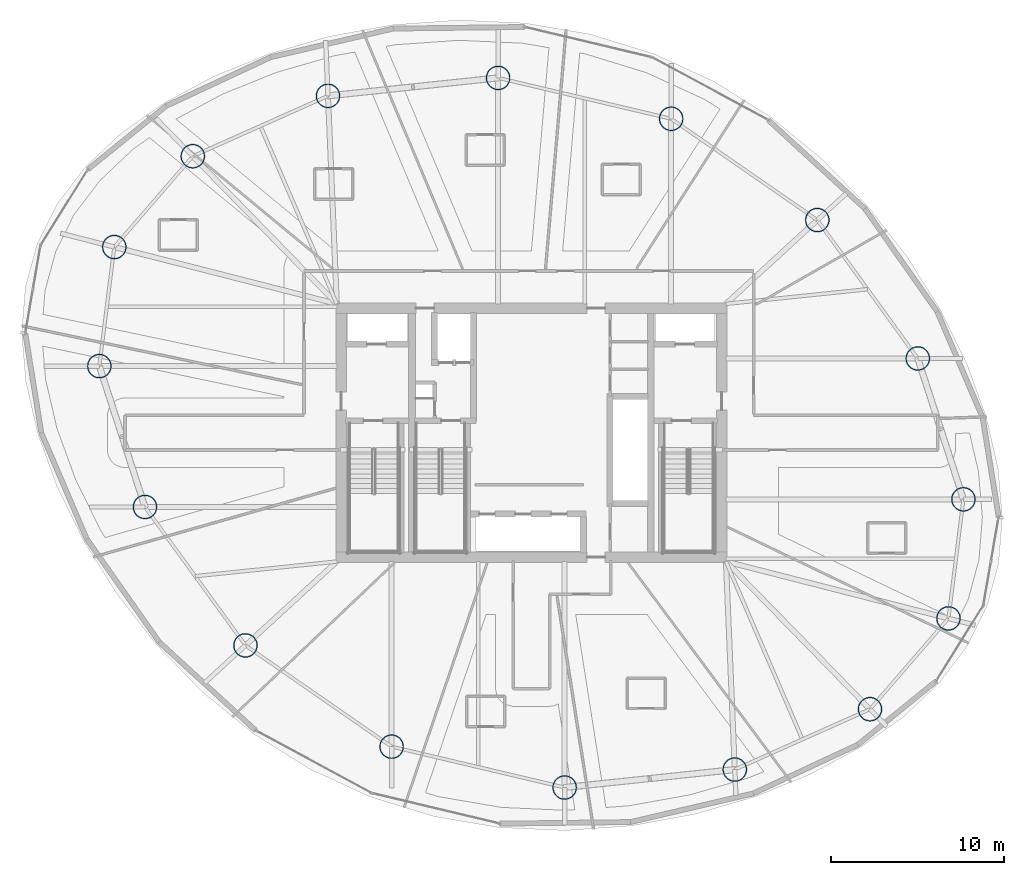
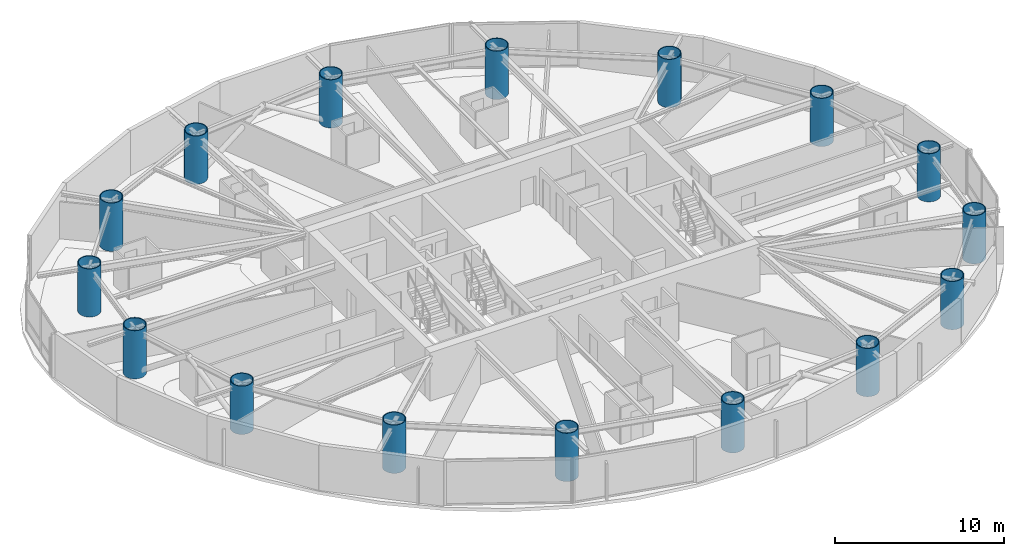
# One storey, part 1 of 22: 16 columns.
"""IFC4 building model written with IfcOpenShell, lengths in metres."""

from ifc_helpers import new_model, si_unit, direction, frame, origin, origin_2d, place, context, subcontext, project, spatial, hollow_circle, extrude, material, material_profile, profile_set, type_object, element, save


model = new_model("IFC4")

# Units and contexts
model_context = context("Model", 3, precision=1e-05, world=origin(), true_north=direction((0.0, 1.0)))
body_context = subcontext(model_context, "Body", "Model", "MODEL_VIEW")
ifc_project = project(units=[si_unit("LENGTHUNIT", "METRE"), si_unit("AREAUNIT", "SQUARE_METRE"), si_unit("VOLUMEUNIT", "CUBIC_METRE"), si_unit("PLANEANGLEUNIT", "RADIAN"), si_unit("MASSUNIT", "GRAM", prefix="KILO")], contexts=[model_context])

# Site, building, storey
site_placement = place(None, origin())
site = spatial("IfcSite", under=ifc_project, at=site_placement, CompositionType="ELEMENT")
building_placement = place(site_placement, origin())
building = spatial("IfcBuilding", under=site, at=building_placement, Name="Bramvorn Convention Spire", CompositionType="ELEMENT")
storey_placement = place(building_placement, frame((0.0, 0.0, 116.800048828125)))
storey = spatial("IfcBuildingStorey", under=building, at=storey_placement, Name="L28", CompositionType="ELEMENT", Elevation=116.800048828125)

# Columns
ifc_material = material(Name="Steel CSA G40.21 Grade 350 (350W)", Category="steel")
ifc_material_profile = material_profile(ifc_material, hollow_circle(Radius=0.699951171875, WallThickness=0.054931640625, at=origin_2d()))
ifc_profile_set = profile_set([ifc_material_profile], Name="Steel CSA G40.21 Grade 350 (350W) - CFT1400X55")
column_type = type_object("IfcColumnType", Name="COL-CFT1400X55", PredefinedType="COLUMN", material=ifc_profile_set)
for number, where, z_axis, x_axis, name in (
    (1, (62.11767578125, 15.26220703125, 0.0), (0.0, 0.0, 1.0), (1.0, 0.0, 0.0), "L28 composite CFT mega-column MC01"),
    (2, (62.983642578125, 22.148193359375, 0.0), (0.0, 0.0, 1.0), (1.0, 0.0, 0.0), "L28 composite CFT mega-column MC02"),
    (3, (60.345703125, 30.293212890625, 0.0), (0.0, 0.0, 1.0), (1.0, 0.0, 0.0), "L28 composite CFT mega-column MC03"),
    (4, (54.534912109375, 38.299072265625, 0.0), (0.0, 0.0, 1.0), (1.0, 0.0, 0.0), "L28 composite CFT mega-column MC04"),
    (5, (46.082763671875, 44.154052734375, 0.0), (0.0, 0.0, 1.0), (1.0, 0.0, 0.0), "L28 composite CFT mega-column MC05"),
    (6, (36.075927734375, 46.517333984375, 0.0), (0.0, 0.0, 1.0), (1.0, 0.0, 0.0), "L28 composite CFT mega-column MC06"),
    (7, (26.23828125, 45.478759765625, 0.0), (0.0, 0.0, 1.0), (1.0, 0.0, 0.0), "L28 composite CFT mega-column MC07"),
    (8, (18.420166015625, 41.9892578125, 0.0), (0.0, 0.0, 1.0), (1.0, 0.0, 0.0), "L28 composite CFT mega-column MC08"),
    (9, (13.88232421875, 36.73779296875, 0.0), (0.0, 0.0, 1.0), (1.0, 0.0, 0.0), "L28 composite CFT mega-column MC09"),
    (10, (13.016357421875, 29.851806640625, 0.0), (0.0, 0.0, 1.0), (1.0, 0.0, 0.0), "L28 composite CFT mega-column MC10"),
    (11, (15.654296875, 21.706787109375, 0.0), (0.0, 0.0, 1.0), (1.0, 0.0, 0.0), "L28 composite CFT mega-column MC11"),
    (12, (21.465087890625, 13.700927734375, 0.0), (0.0, 0.0, 1.0), (1.0, 0.0, 0.0), "L28 composite CFT mega-column MC12"),
    (13, (29.917236328125, 7.845947265625, 0.0), (0.0, 0.0, 1.0), (1.0, 0.0, 0.0), "L28 composite CFT mega-column MC13"),
    (14, (39.924072265625, 5.482666015625, 0.0), (0.0, 0.0, 1.0), (1.0, 0.0, 0.0), "L28 composite CFT mega-column MC14"),
    (15, (49.76171875, 6.521240234375, 0.0), (0.0, 0.0, 1.0), (1.0, 0.0, 0.0), "L28 composite CFT mega-column MC15"),
    (16, (57.579833984375, 10.0107421875, 0.0), (0.0, 0.0, 1.0), (1.0, 0.0, 0.0), "L28 composite CFT mega-column MC16"),
):
    element("IfcColumn", number, at=place(storey_placement, frame(where, z_axis=z_axis, x_axis=x_axis)), inside=storey, type_object=column_type, Name=name, PredefinedType="COLUMN", context=body_context, shape_type="SweptSolid", body=[
        extrude(hollow_circle(Radius=0.699951171875, WallThickness=0.054931640625, at=origin_2d()), origin(), (0.0, 0.0, 1.0), 3.5),
    ])

save(model, "model.ifc")
